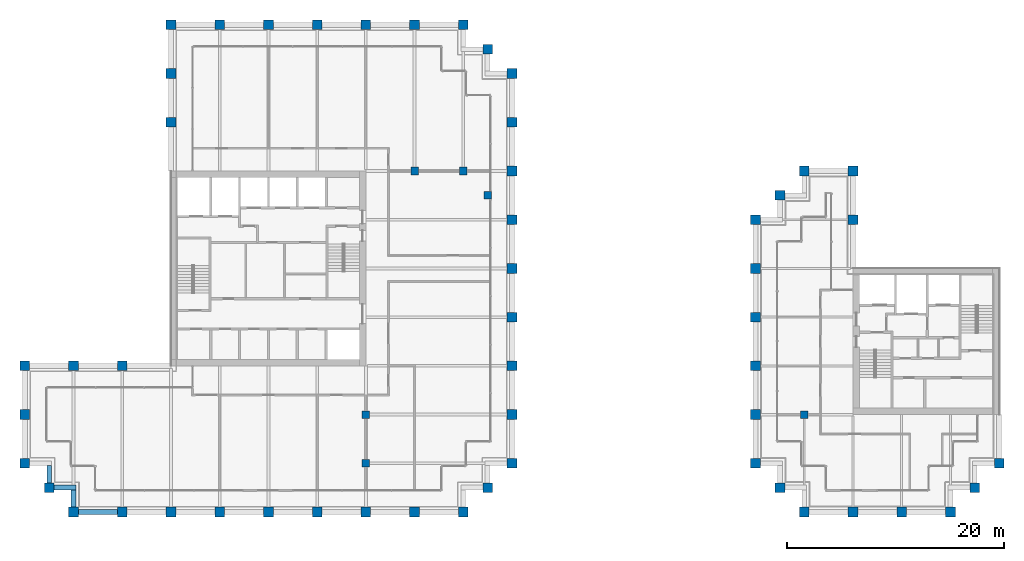
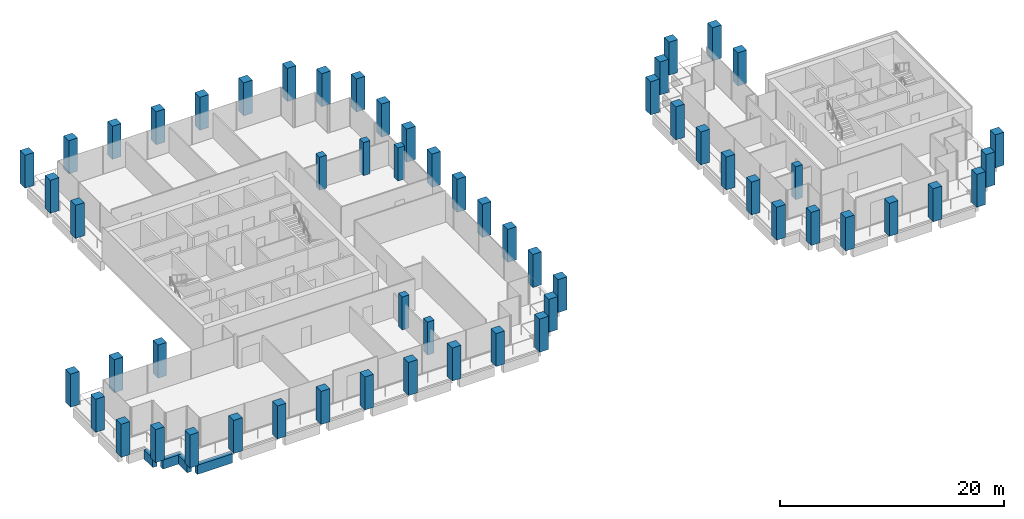
# One storey, part 1 of 40: 58 columns, 4 beams.
"""IFC4 building model written with IfcOpenShell, lengths in metres."""

from ifc_helpers import new_model, si_unit, direction, frame, origin, origin_2d, place, context, subcontext, project, spatial, rectangle, extrude, material, material_profile, profile_set, type_object, element, save


model = new_model("IFC4")

# Units and contexts
model_context = context("Model", 3, precision=1e-05, world=origin(), true_north=direction((0.0, 1.0)))
body_context = subcontext(model_context, "Body", "Model", "MODEL_VIEW")
ifc_project = project(units=[si_unit("LENGTHUNIT", "METRE"), si_unit("AREAUNIT", "SQUARE_METRE"), si_unit("VOLUMEUNIT", "CUBIC_METRE"), si_unit("PLANEANGLEUNIT", "RADIAN"), si_unit("MASSUNIT", "GRAM", prefix="KILO")], contexts=[model_context])

# Site, building, storey
site_placement = place(None, origin())
site = spatial("IfcSite", under=ifc_project, at=site_placement, CompositionType="ELEMENT")
building_placement = place(site_placement, origin())
building = spatial("IfcBuilding", under=site, at=building_placement, Name="Altepetl Exchange Towers", CompositionType="ELEMENT")
storey_placement = place(building_placement, frame((0.0, 0.0, 169.0)))
storey = spatial("IfcBuildingStorey", under=building, at=storey_placement, Name="L42", CompositionType="ELEMENT", Elevation=169.0)

# Columns
ifc_material_1 = material(Name="Concrete C70/85", Category="concrete")
ifc_material_profile_1 = material_profile(ifc_material_1, rectangle(XDim=0.699951171875, YDim=0.699951171875, at=origin_2d()), Name="700 x 700")
ifc_profile_set_1 = profile_set([ifc_material_profile_1], Name="Concrete C70/85")
column_type_1 = type_object("IfcColumnType", Name="Interior column 700", PredefinedType="COLUMN", material=ifc_profile_set_1)
for number, where, name in (
    (1, (58.5, 31.5, 0.0), "col:A:L42:035"),
    (2, (58.5, 36.0, 0.0), "col:A:L42:036"),
    (3, (63.0, 58.5, 0.0), "col:A:L42:037"),
    (4, (67.5, 58.5, 0.0), "col:A:L42:038"),
    (5, (69.75, 56.25, 0.0), "col:A:L42:039"),
    (6, (99.0, 36.0, 0.0), "col:B:L42:017"),
):
    element("IfcColumn", number, at=place(storey_placement, frame(where)), inside=storey, type_object=column_type_1, Name=name, PredefinedType="COLUMN", context=body_context, shape_type="SweptSolid", body=[
        extrude(rectangle(XDim=0.699951171875, YDim=0.699951171875, at=origin_2d()), origin(), (0.0, 0.0, 1.0), 3.60009765625),
    ])
ifc_material_2 = material(Name="Concrete C70/85 precast with cantera amarilla facing", Category="concrete")
ifc_material_profile_2 = material_profile(ifc_material_2, rectangle(XDim=0.89990234375, YDim=0.89990234375, at=origin_2d()), Name="900 x 900")
ifc_profile_set_2 = profile_set([ifc_material_profile_2], Name="Concrete C70/85 precast with cantera amarilla facing")
column_type_2 = type_object("IfcColumnType", Name="Perimeter column 900 cantera amarilla", PredefinedType="COLUMN", material=ifc_profile_set_2)
for number, where, name in (
    (7, (58.5, 27.0, 0.0), "col:A:L42:006"),
    (8, (63.0, 27.0, 0.0), "col:A:L42:007"),
    (9, (67.5, 27.0, 0.0), "col:A:L42:008"),
    (10, (69.75, 29.25, 0.0), "col:A:L42:009"),
    (11, (72.0, 31.5, 0.0), "col:A:L42:010"),
    (12, (72.0, 36.0, 0.0), "col:A:L42:011"),
    (13, (72.0, 40.5, 0.0), "col:A:L42:012"),
    (14, (72.0, 45.0, 0.0), "col:A:L42:013"),
    (15, (72.0, 49.5, 0.0), "col:A:L42:014"),
    (16, (72.0, 54.0, 0.0), "col:A:L42:015"),
):
    element("IfcColumn", number, at=place(storey_placement, frame(where)), inside=storey, type_object=column_type_2, Name=name, PredefinedType="COLUMN", context=body_context, shape_type="SweptSolid", body=[
        extrude(rectangle(XDim=0.89990234375, YDim=0.89990234375, at=origin_2d()), origin(), (0.0, 0.0, 1.0), 3.60009765625),
    ])
ifc_material_3 = material(Name="Concrete C70/85 precast with cantera blanca facing", Category="concrete")
ifc_material_profile_3 = material_profile(ifc_material_3, rectangle(XDim=0.89990234375, YDim=0.89990234375, at=origin_2d()), Name="900 x 900")
ifc_profile_set_3 = profile_set([ifc_material_profile_3], Name="Concrete C70/85 precast with cantera blanca facing")
column_type_3 = type_object("IfcColumnType", Name="Perimeter column 900 cantera blanca", PredefinedType="COLUMN", material=ifc_profile_set_3)
for number, where, name in (
    (17, (31.5, 27.0, 0.0), "col:A:L42:000"),
    (18, (36.0, 27.0, 0.0), "col:A:L42:001"),
    (19, (40.5, 27.0, 0.0), "col:A:L42:002"),
    (20, (45.0, 27.0, 0.0), "col:A:L42:003"),
    (21, (49.5, 27.0, 0.0), "col:A:L42:004"),
    (22, (54.0, 27.0, 0.0), "col:A:L42:005"),
    (23, (27.0, 36.0, 0.0), "col:A:L42:032"),
    (24, (27.0, 31.5, 0.0), "col:A:L42:033"),
    (25, (29.25, 29.25, 0.0), "col:A:L42:034"),
    (26, (117.0, 31.5, 0.0), "col:B:L42:005"),
):
    element("IfcColumn", number, at=place(storey_placement, frame(where)), inside=storey, type_object=column_type_3, Name=name, PredefinedType="COLUMN", context=body_context, shape_type="SweptSolid", body=[
        extrude(rectangle(XDim=0.89990234375, YDim=0.89990234375, at=origin_2d()), origin(), (0.0, 0.0, 1.0), 3.60009765625),
    ])
ifc_material_4 = material(Name="Concrete C70/85 precast with cantera rosa facing", Category="concrete")
ifc_material_profile_4 = material_profile(ifc_material_4, rectangle(XDim=0.89990234375, YDim=0.89990234375, at=origin_2d()), Name="900 x 900")
ifc_profile_set_4 = profile_set([ifc_material_profile_4], Name="Concrete C70/85 precast with cantera rosa facing")
column_type_4 = type_object("IfcColumnType", Name="Perimeter column 900 cantera rosa", PredefinedType="COLUMN", material=ifc_profile_set_4)
for number, where, name in (
    (27, (72.0, 58.5, 0.0), "col:A:L42:016"),
    (28, (72.0, 63.0, 0.0), "col:A:L42:017"),
    (29, (72.0, 67.5, 0.0), "col:A:L42:018"),
    (30, (69.75, 69.75, 0.0), "col:A:L42:019"),
    (31, (67.5, 72.0, 0.0), "col:A:L42:020"),
    (32, (63.0, 72.0, 0.0), "col:A:L42:021"),
    (33, (58.5, 72.0, 0.0), "col:A:L42:022"),
    (34, (54.0, 72.0, 0.0), "col:A:L42:023"),
    (35, (49.5, 72.0, 0.0), "col:A:L42:024"),
    (36, (45.0, 72.0, 0.0), "col:A:L42:025"),
    (37, (103.5, 54.0, 0.0), "col:B:L42:006"),
    (38, (103.5, 58.5, 0.0), "col:B:L42:007"),
    (39, (99.0, 58.5, 0.0), "col:B:L42:008"),
    (40, (96.75, 56.25, 0.0), "col:B:L42:009"),
    (41, (94.5, 54.0, 0.0), "col:B:L42:010"),
    (42, (94.5, 49.5, 0.0), "col:B:L42:011"),
    (43, (94.5, 45.0, 0.0), "col:B:L42:012"),
    (44, (94.5, 40.5, 0.0), "col:B:L42:013"),
    (45, (94.5, 36.0, 0.0), "col:B:L42:014"),
):
    element("IfcColumn", number, at=place(storey_placement, frame(where)), inside=storey, type_object=column_type_4, Name=name, PredefinedType="COLUMN", context=body_context, shape_type="SweptSolid", body=[
        extrude(rectangle(XDim=0.89990234375, YDim=0.89990234375, at=origin_2d()), origin(), (0.0, 0.0, 1.0), 3.60009765625),
    ])
ifc_material_5 = material(Name="Concrete C70/85 precast with tezontle facing", Category="concrete")
ifc_material_profile_5 = material_profile(ifc_material_5, rectangle(XDim=0.89990234375, YDim=0.89990234375, at=origin_2d()), Name="900 x 900")
ifc_profile_set_5 = profile_set([ifc_material_profile_5], Name="Concrete C70/85 precast with tezontle facing")
column_type_5 = type_object("IfcColumnType", Name="Perimeter column 900 tezontle", PredefinedType="COLUMN", material=ifc_profile_set_5)
for number, where, name in (
    (46, (40.5, 72.0, 0.0), "col:A:L42:026"),
    (47, (40.5, 67.5, 0.0), "col:A:L42:027"),
    (48, (40.5, 63.0, 0.0), "col:A:L42:028"),
    (49, (36.0, 40.5, 0.0), "col:A:L42:029"),
    (50, (31.5, 40.5, 0.0), "col:A:L42:030"),
    (51, (27.0, 40.5, 0.0), "col:A:L42:031"),
    (52, (99.0, 27.0, 0.0), "col:B:L42:000"),
    (53, (103.5, 27.0, 0.0), "col:B:L42:001"),
    (54, (108.0, 27.0, 0.0), "col:B:L42:002"),
    (55, (112.5, 27.0, 0.0), "col:B:L42:003"),
    (56, (114.75, 29.25, 0.0), "col:B:L42:004"),
    (57, (94.5, 31.5, 0.0), "col:B:L42:015"),
    (58, (96.75, 29.25, 0.0), "col:B:L42:016"),
):
    element("IfcColumn", number, at=place(storey_placement, frame(where)), inside=storey, type_object=column_type_5, Name=name, PredefinedType="COLUMN", context=body_context, shape_type="SweptSolid", body=[
        extrude(rectangle(XDim=0.89990234375, YDim=0.89990234375, at=origin_2d()), origin(), (0.0, 0.0, 1.0), 3.60009765625),
    ])

# Beams
ifc_material_6 = material(Name="Concrete C50/60 precast with cantera blanca facing", Category="concrete")
ifc_material_profile_6 = material_profile(ifc_material_6, rectangle(XDim=0.449951171875, YDim=1.0, at=origin_2d()), Name="450 x 1000")
ifc_profile_set_6 = profile_set([ifc_material_profile_6], Name="Concrete C50/60 precast with cantera blanca facing")
beam_type = type_object("IfcBeamType", Name="Spandrel beam 450x1000 cantera blanca", PredefinedType="SPANDREL", material=ifc_profile_set_6)
beam_1_placement = place(storey_placement, frame((31.949951171875, 27.0, -0.64990234375), z_axis=(1.0, 0.0, 0.0), x_axis=(0.0, 1.0, 0.0)))
element("IfcBeam", 59, at=beam_1_placement, inside=storey, type_object=beam_type, Name="sp:A:L42:000", PredefinedType="SPANDREL", context=body_context, shape_type="SweptSolid", body=[
    extrude(rectangle(XDim=0.449951171875, YDim=1.0, at=origin_2d()), origin(), (0.0, 0.0, 1.0), 3.60009765625),
])
beam_2_placement = place(storey_placement, frame((29.25, 31.27490234375, -0.64990234375), z_axis=(0.0, -1.0, 0.0), x_axis=(1.0, 0.0, 0.0)))
element("IfcBeam", 60, at=beam_2_placement, inside=storey, type_object=beam_type, Name="sp:A:L42:039", PredefinedType="SPANDREL", context=body_context, shape_type="SweptSolid", body=[
    extrude(rectangle(XDim=0.449951171875, YDim=1.0, at=origin_2d()), origin(), (0.0, 0.0, 1.0), 1.574951171875),
])
beam_3_placement = place(storey_placement, frame((29.699951171875, 29.25, -0.64990234375), z_axis=(1.0, 0.0, 0.0), x_axis=(0.0, 1.0, 0.0)))
element("IfcBeam", 61, at=beam_3_placement, inside=storey, type_object=beam_type, Name="sp:A:L42:040", PredefinedType="SPANDREL", context=body_context, shape_type="SweptSolid", body=[
    extrude(rectangle(XDim=0.449951171875, YDim=1.0, at=origin_2d()), origin(), (0.0, 0.0, 1.0), 2.025146484375),
])
beam_4_placement = place(storey_placement, frame((31.5, 29.02490234375, -0.64990234375), z_axis=(0.0, -1.0, 0.0), x_axis=(1.0, 0.0, 0.0)))
element("IfcBeam", 62, at=beam_4_placement, inside=storey, type_object=beam_type, Name="sp:A:L42:041", PredefinedType="SPANDREL", context=body_context, shape_type="SweptSolid", body=[
    extrude(rectangle(XDim=0.449951171875, YDim=1.0, at=origin_2d()), origin(), (0.0, 0.0, 1.0), 1.574951171875),
])

save(model, "model.ifc")
